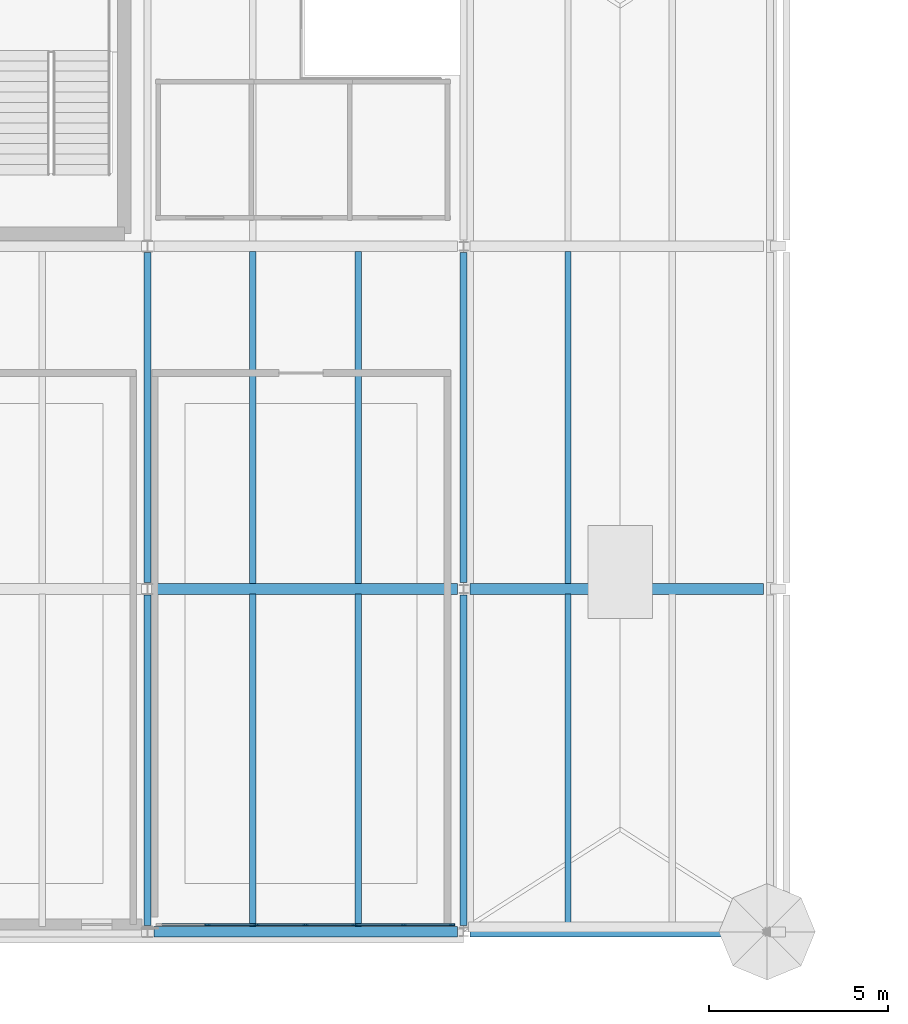
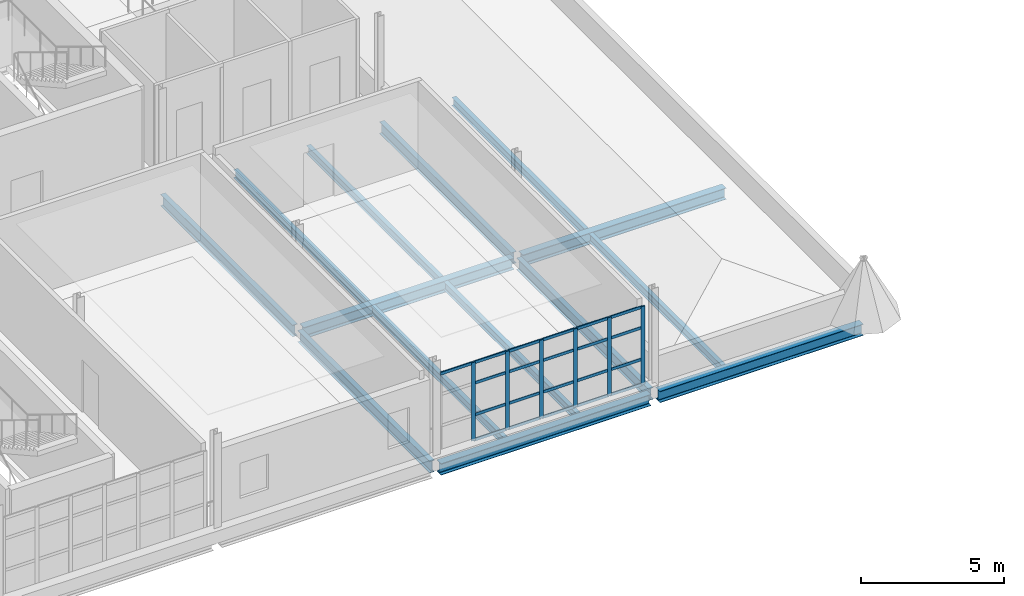
# One storey, part 17 of 58: 27 members, 14 beams, 1 element without a shape of its own.
"""IFC4 building model written with IfcOpenShell, lengths in metres."""

from ifc_helpers import new_model, si_unit, direction, frame, origin, origin_2d, place, context, subcontext, project, spatial, rectangle, i_section, extrude, material, layer, layer_set, material_profile, profile_set, type_object, element, aggregate, save


model = new_model("IFC4")

# Units and contexts
model_context = context("Model", 3, precision=1e-05, world=origin(), true_north=direction((0.0, 1.0)))
body_context = subcontext(model_context, "Body", "Model", "MODEL_VIEW")
ifc_project = project(units=[si_unit("LENGTHUNIT", "METRE"), si_unit("AREAUNIT", "SQUARE_METRE"), si_unit("VOLUMEUNIT", "CUBIC_METRE"), si_unit("PLANEANGLEUNIT", "RADIAN"), si_unit("MASSUNIT", "GRAM", prefix="KILO")], contexts=[model_context])

# Site, building, storey
site_placement = place(None, origin())
site = spatial("IfcSite", under=ifc_project, at=site_placement, CompositionType="ELEMENT")
building_placement = place(site_placement, origin())
building = spatial("IfcBuilding", under=site, at=building_placement, Name="Yeouljin Market Hall", CompositionType="ELEMENT")
storey_placement = place(building_placement, frame((0.0, 0.0, 10.800048828125)))
storey = spatial("IfcBuildingStorey", under=building, at=storey_placement, Name="L02", CompositionType="ELEMENT", Elevation=10.800048828125)

# Beams
ifc_material_1 = material(Name="Steel SM355", Category="steel")
ifc_material_profile_1 = material_profile(ifc_material_1, i_section(OverallWidth=0.199951171875, OverallDepth=0.5, WebThickness=0.010009765625, FlangeThickness=0.01611328125, FilletRadius=0.02001953125, at=origin_2d()), Name="H-500x200x10x16")
ifc_profile_set_1 = profile_set([ifc_material_profile_1], Name="Steel SM355")
beam_type_1 = type_object("IfcBeamType", Name="Beam_H-500x200x10x16", PredefinedType="BEAM", material=ifc_profile_set_1)
for number, where, z_axis, x_axis, name in (
    (1, (17.699951171875, 0.175048828125, -0.51513671875), (0.0, 1.0, 0.0), (-1.0, 0.0, 0.0), "Primary beam BM-L02-Y085"),
    (2, (17.699951171875, 9.77490234375, -0.51513671875), (0.0, 1.0, 0.0), (-1.0, 0.0, 0.0), "Primary beam BM-L02-Y086"),
    (3, (26.550048828125, 0.175048828125, -0.51513671875), (0.0, 1.0, 0.0), (-1.0, 0.0, 0.0), "Primary beam BM-L02-Y090"),
    (4, (26.550048828125, 9.77490234375, -0.51513671875), (0.0, 1.0, 0.0), (-1.0, 0.0, 0.0), "Primary beam BM-L02-Y091"),
):
    element("IfcBeam", number, at=place(storey_placement, frame(where, z_axis=z_axis, x_axis=x_axis)), inside=storey, type_object=beam_type_1, Name=name, PredefinedType="BEAM", context=body_context, shape_type="SweptSolid", body=[
        extrude(i_section(OverallWidth=0.199951171875, OverallDepth=0.5, WebThickness=0.010009765625, FlangeThickness=0.01611328125, FilletRadius=0.02001953125, at=origin_2d()), origin(), (0.0, 0.0, 1.0), 9.25),
    ])

# Curtain wall, members
ifc_material_2 = material(Name="Thermally Broken Aluminium", Category="aluminium")
ifc_layer = layer(ifc_material_2, 0.14990234375)
ifc_layer_set = layer_set([ifc_layer], Name="Thermally Broken Aluminium")
curtain_wall_type = type_object("IfcCurtainWallType", Name="CW_AcademyRibbon_System", PredefinedType="USERDEFINED", material=ifc_layer_set)
curtain_wall_placement = place(storey_placement, origin())
curtain_wall = element("IfcCurtainWall", 5, at=curtain_wall_placement, inside=storey, type_object=curtain_wall_type, Name="Curtain wall CW-L02-W01", ObjectType="CURTAIN WALL", PredefinedType="USERDEFINED")
ifc_material_3 = material(Name="Thermally Broken Aluminium", Category="aluminium")
ifc_material_profile_2 = material_profile(ifc_material_3, rectangle(XDim=0.048095703125, YDim=0.14990234375, at=origin_2d()), Name="CW-MULL-48x150")
ifc_profile_set_2 = profile_set([ifc_material_profile_2], Name="Thermally Broken Aluminium")
member_type_1 = type_object("IfcMemberType", Name="CWMullion_48x150", PredefinedType="MULLION", material=ifc_profile_set_2)
member_1_placement = place(storey_placement, frame((26.22607421875, 0.199951171875, 0.0), z_axis=(0.0, 0.0, 1.0), x_axis=(0.0, -1.0, 0.0)))
member_1 = element("IfcMember", 6, at=member_1_placement, type_object=member_type_1, Name="CW-05 mullion 1", PredefinedType="MULLION", context=body_context, shape_type="SweptSolid", body=[
    extrude(rectangle(XDim=0.048095703125, YDim=0.14990234375, at=origin_2d()), origin(), (0.0, 0.0, 1.0), 3.349853515625),
])
member_2_placement = place(storey_placement, frame((24.875, 0.199951171875, 0.0), z_axis=(0.0, 0.0, 1.0), x_axis=(0.0, -1.0, 0.0)))
member_2 = element("IfcMember", 7, at=member_2_placement, type_object=member_type_1, Name="CW-05 mullion 2", PredefinedType="MULLION", context=body_context, shape_type="SweptSolid", body=[
    extrude(rectangle(XDim=0.048095703125, YDim=0.14990234375, at=origin_2d()), origin(), (0.0, 0.0, 1.0), 3.349853515625),
])
member_3_placement = place(storey_placement, frame((23.5, 0.199951171875, 0.0), z_axis=(0.0, 0.0, 1.0), x_axis=(0.0, -1.0, 0.0)))
member_3 = element("IfcMember", 8, at=member_3_placement, type_object=member_type_1, Name="CW-05 mullion 3", PredefinedType="MULLION", context=body_context, shape_type="SweptSolid", body=[
    extrude(rectangle(XDim=0.048095703125, YDim=0.14990234375, at=origin_2d()), origin(), (0.0, 0.0, 1.0), 3.349853515625),
])
member_4_placement = place(storey_placement, frame((22.125, 0.199951171875, 0.0), z_axis=(0.0, 0.0, 1.0), x_axis=(0.0, -1.0, 0.0)))
member_4 = element("IfcMember", 9, at=member_4_placement, type_object=member_type_1, Name="CW-05 mullion 4", PredefinedType="MULLION", context=body_context, shape_type="SweptSolid", body=[
    extrude(rectangle(XDim=0.048095703125, YDim=0.14990234375, at=origin_2d()), origin(), (0.0, 0.0, 1.0), 3.349853515625),
])
member_5_placement = place(storey_placement, frame((20.75, 0.199951171875, 0.0), z_axis=(0.0, 0.0, 1.0), x_axis=(0.0, -1.0, 0.0)))
member_5 = element("IfcMember", 10, at=member_5_placement, type_object=member_type_1, Name="CW-05 mullion 5", PredefinedType="MULLION", context=body_context, shape_type="SweptSolid", body=[
    extrude(rectangle(XDim=0.048095703125, YDim=0.14990234375, at=origin_2d()), origin(), (0.0, 0.0, 1.0), 3.349853515625),
])
member_6_placement = place(storey_placement, frame((19.375, 0.199951171875, 0.0), z_axis=(0.0, 0.0, 1.0), x_axis=(0.0, -1.0, 0.0)))
member_6 = element("IfcMember", 11, at=member_6_placement, type_object=member_type_1, Name="CW-05 mullion 6", PredefinedType="MULLION", context=body_context, shape_type="SweptSolid", body=[
    extrude(rectangle(XDim=0.048095703125, YDim=0.14990234375, at=origin_2d()), origin(), (0.0, 0.0, 1.0), 3.349853515625),
])
ifc_material_4 = material(Name="Thermally Broken Aluminium", Category="aluminium")
ifc_material_profile_3 = material_profile(ifc_material_4, rectangle(XDim=0.048095703125, YDim=0.1201171875, at=origin_2d()), Name="CW-TRAN-48x120")
ifc_profile_set_3 = profile_set([ifc_material_profile_3], Name="Thermally Broken Aluminium")
member_type_2 = type_object("IfcMemberType", Name="CWTransom_48x120", PredefinedType="USERDEFINED", material=ifc_profile_set_3)
member_7_placement = place(storey_placement, frame((26.201904296875, 0.199951171875, 0.02392578125), z_axis=(-1.0, 0.0, 0.0), x_axis=(0.0, -1.0, 0.0)))
member_7 = element("IfcMember", 12, at=member_7_placement, type_object=member_type_2, Name="CW-05 transom 1.1", ObjectType="TRANSOM", PredefinedType="USERDEFINED", context=body_context, shape_type="SweptSolid", body=[
    extrude(rectangle(XDim=0.048095703125, YDim=0.1201171875, at=origin_2d()), origin(), (0.0, 0.0, 1.0), 1.302978515625),
])
member_8_placement = place(storey_placement, frame((26.201904296875, 0.199951171875, 1.099853515625), z_axis=(-1.0, 0.0, 0.0), x_axis=(0.0, -1.0, 0.0)))
member_8 = element("IfcMember", 13, at=member_8_placement, type_object=member_type_2, Name="CW-05 transom 1.2", ObjectType="TRANSOM", PredefinedType="USERDEFINED", context=body_context, shape_type="SweptSolid", body=[
    extrude(rectangle(XDim=0.048095703125, YDim=0.1201171875, at=origin_2d()), origin(), (0.0, 0.0, 1.0), 1.302978515625),
])
member_9_placement = place(storey_placement, frame((26.201904296875, 0.199951171875, 2.449951171875), z_axis=(-1.0, 0.0, 0.0), x_axis=(0.0, -1.0, 0.0)))
member_9 = element("IfcMember", 14, at=member_9_placement, type_object=member_type_2, Name="CW-05 transom 1.3", ObjectType="TRANSOM", PredefinedType="USERDEFINED", context=body_context, shape_type="SweptSolid", body=[
    extrude(rectangle(XDim=0.048095703125, YDim=0.1201171875, at=origin_2d()), origin(), (0.0, 0.0, 1.0), 1.302978515625),
])
member_10_placement = place(storey_placement, frame((26.201904296875, 0.199951171875, 3.325927734375), z_axis=(-1.0, 0.0, 0.0), x_axis=(0.0, -1.0, 0.0)))
member_10 = element("IfcMember", 15, at=member_10_placement, type_object=member_type_2, Name="CW-05 transom 1.4", ObjectType="TRANSOM", PredefinedType="USERDEFINED", context=body_context, shape_type="SweptSolid", body=[
    extrude(rectangle(XDim=0.048095703125, YDim=0.1201171875, at=origin_2d()), origin(), (0.0, 0.0, 1.0), 1.302978515625),
])
member_11_placement = place(storey_placement, frame((24.85107421875, 0.199951171875, 0.02392578125), z_axis=(-1.0, 0.0, 0.0), x_axis=(0.0, -1.0, 0.0)))
member_11 = element("IfcMember", 16, at=member_11_placement, type_object=member_type_2, Name="CW-05 transom 2.1", ObjectType="TRANSOM", PredefinedType="USERDEFINED", context=body_context, shape_type="SweptSolid", body=[
    extrude(rectangle(XDim=0.048095703125, YDim=0.1201171875, at=origin_2d()), origin(), (0.0, 0.0, 1.0), 1.3271484375),
])
member_12_placement = place(storey_placement, frame((24.85107421875, 0.199951171875, 1.099853515625), z_axis=(-1.0, 0.0, 0.0), x_axis=(0.0, -1.0, 0.0)))
member_12 = element("IfcMember", 17, at=member_12_placement, type_object=member_type_2, Name="CW-05 transom 2.2", ObjectType="TRANSOM", PredefinedType="USERDEFINED", context=body_context, shape_type="SweptSolid", body=[
    extrude(rectangle(XDim=0.048095703125, YDim=0.1201171875, at=origin_2d()), origin(), (0.0, 0.0, 1.0), 1.3271484375),
])
member_13_placement = place(storey_placement, frame((24.85107421875, 0.199951171875, 2.449951171875), z_axis=(-1.0, 0.0, 0.0), x_axis=(0.0, -1.0, 0.0)))
member_13 = element("IfcMember", 18, at=member_13_placement, type_object=member_type_2, Name="CW-05 transom 2.3", ObjectType="TRANSOM", PredefinedType="USERDEFINED", context=body_context, shape_type="SweptSolid", body=[
    extrude(rectangle(XDim=0.048095703125, YDim=0.1201171875, at=origin_2d()), origin(), (0.0, 0.0, 1.0), 1.3271484375),
])
member_14_placement = place(storey_placement, frame((24.85107421875, 0.199951171875, 3.325927734375), z_axis=(-1.0, 0.0, 0.0), x_axis=(0.0, -1.0, 0.0)))
member_14 = element("IfcMember", 19, at=member_14_placement, type_object=member_type_2, Name="CW-05 transom 2.4", ObjectType="TRANSOM", PredefinedType="USERDEFINED", context=body_context, shape_type="SweptSolid", body=[
    extrude(rectangle(XDim=0.048095703125, YDim=0.1201171875, at=origin_2d()), origin(), (0.0, 0.0, 1.0), 1.3271484375),
])
member_15_placement = place(storey_placement, frame((23.47607421875, 0.199951171875, 0.02392578125), z_axis=(-1.0, 0.0, 0.0), x_axis=(0.0, -1.0, 0.0)))
member_15 = element("IfcMember", 20, at=member_15_placement, type_object=member_type_2, Name="CW-05 transom 3.1", ObjectType="TRANSOM", PredefinedType="USERDEFINED", context=body_context, shape_type="SweptSolid", body=[
    extrude(rectangle(XDim=0.048095703125, YDim=0.1201171875, at=origin_2d()), origin(), (0.0, 0.0, 1.0), 1.3271484375),
])
member_16_placement = place(storey_placement, frame((23.47607421875, 0.199951171875, 1.099853515625), z_axis=(-1.0, 0.0, 0.0), x_axis=(0.0, -1.0, 0.0)))
member_16 = element("IfcMember", 21, at=member_16_placement, type_object=member_type_2, Name="CW-05 transom 3.2", ObjectType="TRANSOM", PredefinedType="USERDEFINED", context=body_context, shape_type="SweptSolid", body=[
    extrude(rectangle(XDim=0.048095703125, YDim=0.1201171875, at=origin_2d()), origin(), (0.0, 0.0, 1.0), 1.3271484375),
])
member_17_placement = place(storey_placement, frame((23.47607421875, 0.199951171875, 2.449951171875), z_axis=(-1.0, 0.0, 0.0), x_axis=(0.0, -1.0, 0.0)))
member_17 = element("IfcMember", 22, at=member_17_placement, type_object=member_type_2, Name="CW-05 transom 3.3", ObjectType="TRANSOM", PredefinedType="USERDEFINED", context=body_context, shape_type="SweptSolid", body=[
    extrude(rectangle(XDim=0.048095703125, YDim=0.1201171875, at=origin_2d()), origin(), (0.0, 0.0, 1.0), 1.3271484375),
])
member_18_placement = place(storey_placement, frame((23.47607421875, 0.199951171875, 3.325927734375), z_axis=(-1.0, 0.0, 0.0), x_axis=(0.0, -1.0, 0.0)))
member_18 = element("IfcMember", 23, at=member_18_placement, type_object=member_type_2, Name="CW-05 transom 3.4", ObjectType="TRANSOM", PredefinedType="USERDEFINED", context=body_context, shape_type="SweptSolid", body=[
    extrude(rectangle(XDim=0.048095703125, YDim=0.1201171875, at=origin_2d()), origin(), (0.0, 0.0, 1.0), 1.3271484375),
])
member_19_placement = place(storey_placement, frame((22.10107421875, 0.199951171875, 0.02392578125), z_axis=(-1.0, 0.0, 0.0), x_axis=(0.0, -1.0, 0.0)))
member_19 = element("IfcMember", 24, at=member_19_placement, type_object=member_type_2, Name="CW-05 transom 4.1", ObjectType="TRANSOM", PredefinedType="USERDEFINED", context=body_context, shape_type="SweptSolid", body=[
    extrude(rectangle(XDim=0.048095703125, YDim=0.1201171875, at=origin_2d()), origin(), (0.0, 0.0, 1.0), 1.3271484375),
])
member_20_placement = place(storey_placement, frame((22.10107421875, 0.199951171875, 1.099853515625), z_axis=(-1.0, 0.0, 0.0), x_axis=(0.0, -1.0, 0.0)))
member_20 = element("IfcMember", 25, at=member_20_placement, type_object=member_type_2, Name="CW-05 transom 4.2", ObjectType="TRANSOM", PredefinedType="USERDEFINED", context=body_context, shape_type="SweptSolid", body=[
    extrude(rectangle(XDim=0.048095703125, YDim=0.1201171875, at=origin_2d()), origin(), (0.0, 0.0, 1.0), 1.3271484375),
])
member_21_placement = place(storey_placement, frame((22.10107421875, 0.199951171875, 2.449951171875), z_axis=(-1.0, 0.0, 0.0), x_axis=(0.0, -1.0, 0.0)))
member_21 = element("IfcMember", 26, at=member_21_placement, type_object=member_type_2, Name="CW-05 transom 4.3", ObjectType="TRANSOM", PredefinedType="USERDEFINED", context=body_context, shape_type="SweptSolid", body=[
    extrude(rectangle(XDim=0.048095703125, YDim=0.1201171875, at=origin_2d()), origin(), (0.0, 0.0, 1.0), 1.3271484375),
])
member_22_placement = place(storey_placement, frame((22.10107421875, 0.199951171875, 3.325927734375), z_axis=(-1.0, 0.0, 0.0), x_axis=(0.0, -1.0, 0.0)))
member_22 = element("IfcMember", 27, at=member_22_placement, type_object=member_type_2, Name="CW-05 transom 4.4", ObjectType="TRANSOM", PredefinedType="USERDEFINED", context=body_context, shape_type="SweptSolid", body=[
    extrude(rectangle(XDim=0.048095703125, YDim=0.1201171875, at=origin_2d()), origin(), (0.0, 0.0, 1.0), 1.3271484375),
])
member_23_placement = place(storey_placement, frame((20.72607421875, 0.199951171875, 0.02392578125), z_axis=(-1.0, 0.0, 0.0), x_axis=(0.0, -1.0, 0.0)))
member_23 = element("IfcMember", 28, at=member_23_placement, type_object=member_type_2, Name="CW-05 transom 5.1", ObjectType="TRANSOM", PredefinedType="USERDEFINED", context=body_context, shape_type="SweptSolid", body=[
    extrude(rectangle(XDim=0.048095703125, YDim=0.1201171875, at=origin_2d()), origin(), (0.0, 0.0, 1.0), 1.3271484375),
])
member_24_placement = place(storey_placement, frame((20.72607421875, 0.199951171875, 1.099853515625), z_axis=(-1.0, 0.0, 0.0), x_axis=(0.0, -1.0, 0.0)))
member_24 = element("IfcMember", 29, at=member_24_placement, type_object=member_type_2, Name="CW-05 transom 5.2", ObjectType="TRANSOM", PredefinedType="USERDEFINED", context=body_context, shape_type="SweptSolid", body=[
    extrude(rectangle(XDim=0.048095703125, YDim=0.1201171875, at=origin_2d()), origin(), (0.0, 0.0, 1.0), 1.3271484375),
])
member_25_placement = place(storey_placement, frame((20.72607421875, 0.199951171875, 2.449951171875), z_axis=(-1.0, 0.0, 0.0), x_axis=(0.0, -1.0, 0.0)))
member_25 = element("IfcMember", 30, at=member_25_placement, type_object=member_type_2, Name="CW-05 transom 5.3", ObjectType="TRANSOM", PredefinedType="USERDEFINED", context=body_context, shape_type="SweptSolid", body=[
    extrude(rectangle(XDim=0.048095703125, YDim=0.1201171875, at=origin_2d()), origin(), (0.0, 0.0, 1.0), 1.3271484375),
])
member_26_placement = place(storey_placement, frame((20.72607421875, 0.199951171875, 3.325927734375), z_axis=(-1.0, 0.0, 0.0), x_axis=(0.0, -1.0, 0.0)))
member_26 = element("IfcMember", 31, at=member_26_placement, type_object=member_type_2, Name="CW-05 transom 5.4", ObjectType="TRANSOM", PredefinedType="USERDEFINED", context=body_context, shape_type="SweptSolid", body=[
    extrude(rectangle(XDim=0.048095703125, YDim=0.1201171875, at=origin_2d()), origin(), (0.0, 0.0, 1.0), 1.3271484375),
])
member_27_placement = place(storey_placement, frame((19.35107421875, 0.199951171875, 3.325927734375), z_axis=(-1.0, 0.0, 0.0), x_axis=(0.0, -1.0, 0.0)))
member_27 = element("IfcMember", 32, at=member_27_placement, type_object=member_type_2, Name="CW-05 transom 6.4", ObjectType="TRANSOM", PredefinedType="USERDEFINED", context=body_context, shape_type="SweptSolid", body=[
    extrude(rectangle(XDim=0.048095703125, YDim=0.1201171875, at=origin_2d()), origin(), (0.0, 0.0, 1.0), 1.302978515625),
])
aggregate(curtain_wall, [member_1, member_2, member_3, member_4, member_5, member_6, member_7, member_8, member_9, member_10, member_11, member_12, member_13, member_14, member_15, member_16, member_17, member_18, member_19, member_20, member_21, member_22, member_23, member_24, member_25, member_26, member_27])

# Beams
ifc_material_5 = material(Name="Steel SM355", Category="steel")
ifc_material_profile_4 = material_profile(ifc_material_5, i_section(OverallWidth=0.300048828125, OverallDepth=0.488037109375, WebThickness=0.010986328125, FlangeThickness=0.01806640625, FilletRadius=0.02197265625, at=origin_2d()), Name="H-488x300x11x18")
ifc_profile_set_4 = profile_set([ifc_material_profile_4], Name="Steel SM355")
beam_type_2 = type_object("IfcBeamType", Name="Girder_H-488x300x11x18", PredefinedType="USERDEFINED", material=ifc_profile_set_4)
beam_1_placement = place(storey_placement, frame((17.875, 0.0, -0.509033203125), z_axis=(1.0, 0.0, 0.0), x_axis=(0.0, 1.0, 0.0)))
element("IfcBeam", 33, at=beam_1_placement, inside=storey, type_object=beam_type_2, Name="Primary girder GRD-L02-X003", ObjectType="GIRDER", PredefinedType="USERDEFINED", context=body_context, shape_type="SweptSolid", body=[
    extrude(i_section(OverallWidth=0.300048828125, OverallDepth=0.488037109375, WebThickness=0.010986328125, FlangeThickness=0.01806640625, FilletRadius=0.02197265625, at=origin_2d()), origin(), (0.0, 0.0, 1.0), 8.5),
])
beam_2_placement = place(storey_placement, frame((26.72509765625, 0.0, -0.509033203125), z_axis=(1.0, 0.0, 0.0), x_axis=(0.0, 1.0, 0.0)))
element("IfcBeam", 34, at=beam_2_placement, inside=storey, type_object=beam_type_2, Name="Primary girder GRD-L02-X004", ObjectType="GIRDER", PredefinedType="USERDEFINED", context=body_context, shape_type="SweptSolid", body=[
    extrude(i_section(OverallWidth=0.300048828125, OverallDepth=0.488037109375, WebThickness=0.010986328125, FlangeThickness=0.01806640625, FilletRadius=0.02197265625, at=origin_2d()), origin(), (0.0, 0.0, 1.0), 8.22998046875),
])
beam_3_placement = place(storey_placement, frame((17.875, 9.60009765625, -0.509033203125), z_axis=(1.0, 0.0, 0.0), x_axis=(0.0, 1.0, 0.0)))
element("IfcBeam", 35, at=beam_3_placement, inside=storey, type_object=beam_type_2, Name="Primary girder GRD-L02-X011", ObjectType="GIRDER", PredefinedType="USERDEFINED", context=body_context, shape_type="SweptSolid", body=[
    extrude(i_section(OverallWidth=0.300048828125, OverallDepth=0.488037109375, WebThickness=0.010986328125, FlangeThickness=0.01806640625, FilletRadius=0.02197265625, at=origin_2d()), origin(), (0.0, 0.0, 1.0), 8.5),
])
beam_4_placement = place(storey_placement, frame((26.72509765625, 9.60009765625, -0.509033203125), z_axis=(1.0, 0.0, 0.0), x_axis=(0.0, 1.0, 0.0)))
element("IfcBeam", 36, at=beam_4_placement, inside=storey, type_object=beam_type_2, Name="Primary girder GRD-L02-X012", ObjectType="GIRDER", PredefinedType="USERDEFINED", context=body_context, shape_type="SweptSolid", body=[
    extrude(i_section(OverallWidth=0.300048828125, OverallDepth=0.488037109375, WebThickness=0.010986328125, FlangeThickness=0.01806640625, FilletRadius=0.02197265625, at=origin_2d()), origin(), (0.0, 0.0, 1.0), 8.22998046875),
])
ifc_material_6 = material(Name="Steel SM355", Category="steel")
ifc_material_profile_5 = material_profile(ifc_material_6, i_section(OverallWidth=0.175048828125, OverallDepth=0.35009765625, WebThickness=0.007080078125, FlangeThickness=0.010986328125, FilletRadius=0.013916015625, at=origin_2d()), Name="H-350x175x7x11")
ifc_profile_set_5 = profile_set([ifc_material_profile_5], Name="Steel SM355")
beam_type_3 = type_object("IfcBeamType", Name="Joist_H-350x175x7x11", PredefinedType="JOIST", material=ifc_profile_set_5)
for number, where, z_axis, x_axis, name in (
    (37, (20.64990234375, 0.14697265625, -0.43994140625), (0.0, 1.0, 0.0), (-1.0, 0.0, 0.0), "Secondary floor joist L02-014"),
    (38, (23.60009765625, 0.14697265625, -0.43994140625), (0.0, 1.0, 0.0), (-1.0, 0.0, 0.0), "Secondary floor joist L02-015"),
    (39, (20.64990234375, 9.7470703125, -0.43994140625), (0.0, 1.0, 0.0), (-1.0, 0.0, 0.0), "Secondary floor joist L02-016"),
    (40, (23.60009765625, 9.7470703125, -0.43994140625), (0.0, 1.0, 0.0), (-1.0, 0.0, 0.0), "Secondary floor joist L02-017"),
    (41, (29.473388671875, 0.14697265625, -0.43994140625), (0.0, 1.0, 0.0), (-1.0, 0.0, 0.0), "Secondary floor joist L02-019"),
    (42, (29.473388671875, 9.7470703125, -0.43994140625), (0.0, 1.0, 0.0), (-1.0, 0.0, 0.0), "Secondary floor joist L02-021"),
):
    element("IfcBeam", number, at=place(storey_placement, frame(where, z_axis=z_axis, x_axis=x_axis)), inside=storey, type_object=beam_type_3, Name=name, PredefinedType="JOIST", context=body_context, shape_type="SweptSolid", body=[
        extrude(i_section(OverallWidth=0.175048828125, OverallDepth=0.35009765625, WebThickness=0.007080078125, FlangeThickness=0.010986328125, FilletRadius=0.013916015625, at=origin_2d()), origin(), (0.0, 0.0, 1.0), 9.305908203125),
    ])

save(model, "model.ifc")
